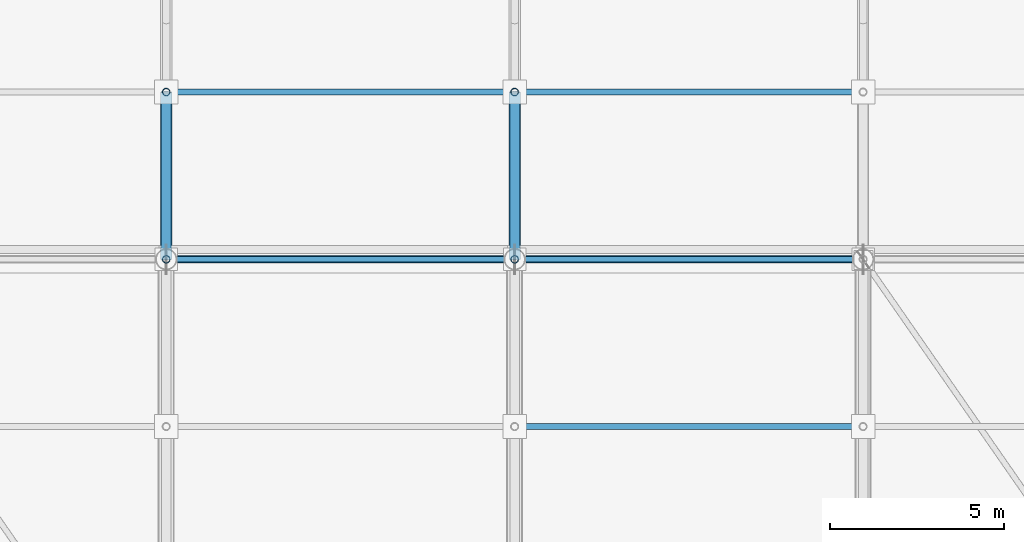
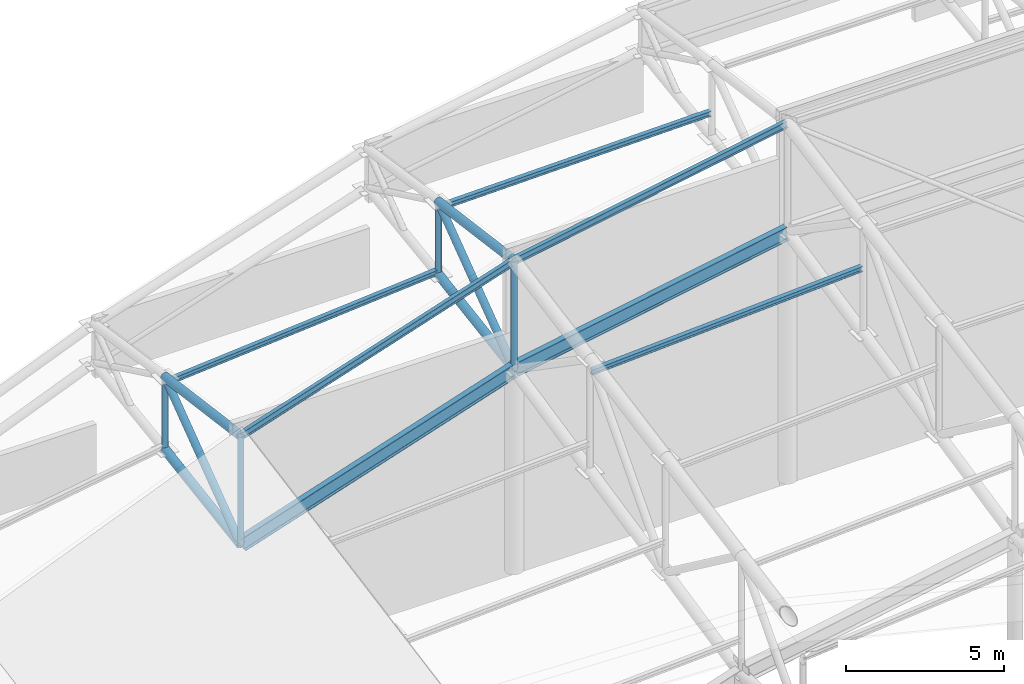
# One storey, part 92 of 146: 13 members, 4 beams.
"""IFC4 building model written with IfcOpenShell, lengths in metres."""

from ifc_helpers import new_model, si_unit, direction, frame, origin, origin_2d, place, context, subcontext, project, spatial, hollow_circle, i_section, extrude, material, material_profile, profile_set, type_object, element, save


model = new_model("IFC4")

# Units and contexts
model_context = context("Model", 3, precision=1e-05, world=origin(), true_north=direction((0.0, 1.0)))
body_context = subcontext(model_context, "Body", "Model", "MODEL_VIEW")
ifc_project = project(units=[si_unit("LENGTHUNIT", "METRE"), si_unit("AREAUNIT", "SQUARE_METRE"), si_unit("VOLUMEUNIT", "CUBIC_METRE"), si_unit("PLANEANGLEUNIT", "RADIAN"), si_unit("MASSUNIT", "GRAM", prefix="KILO")], contexts=[model_context])

# Site, building, storey
site_placement = place(None, origin())
site = spatial("IfcSite", under=ifc_project, at=site_placement, CompositionType="ELEMENT")
building_placement = place(site_placement, origin())
building = spatial("IfcBuilding", under=site, at=building_placement, Name="Candeia Ridge Stadium", CompositionType="ELEMENT")
storey_placement = place(building_placement, frame((0.0, 0.0, 31.800048828125)))
storey = spatial("IfcBuildingStorey", under=building, at=storey_placement, Name="RF", CompositionType="ELEMENT", Elevation=31.800048828125)

# Beams
ifc_material = material(Name="Steel ASTM A572 Grade 50", Category="steel")
ifc_material_profile_1 = material_profile(ifc_material, i_section(OverallWidth=0.14794921875, OverallDepth=0.26611328125, WebThickness=0.007568359375, FlangeThickness=0.012939453125, FilletRadius=0.010986328125, at=origin_2d()), Name="W250x44.8", Category="steel")
ifc_profile_set_1 = profile_set([ifc_material_profile_1], Name="Steel ASTM A572 Grade 50")
beam_type_1 = type_object("IfcBeamType", Name="Canopy Edge Spandrel W250x44.8", PredefinedType="SPANDREL", material=ifc_profile_set_1)
beam_1_placement = place(storey_placement, frame((100.960693359375, 147.0, 13.757080078125), z_axis=(-0.983924099588, 0.0, -0.178587139095), x_axis=(0.0, -1.0, 0.0)))
element("IfcBeam", 1, at=beam_1_placement, inside=storey, type_object=beam_type_1, Name="Roof crown cap ring beam bay 05", PredefinedType="SPANDREL", context=body_context, shape_type="SweptSolid", body=[
    extrude(i_section(OverallWidth=0.14794921875, OverallDepth=0.26611328125, WebThickness=0.007568359375, FlangeThickness=0.012939453125, FilletRadius=0.010986328125, at=origin_2d()), origin(), (0.0, 0.0, 1.0), 10.08349609375),
])
beam_2_placement = place(storey_placement, frame((90.9619140625, 147.0, 11.936767578125), z_axis=(-0.950452285368, 0.0, -0.310870476628), x_axis=(0.0, -1.0, 0.0)))
element("IfcBeam", 2, at=beam_2_placement, inside=storey, type_object=beam_type_1, Name="Roof crown cap ring beam bay 06", PredefinedType="SPANDREL", context=body_context, shape_type="SweptSolid", body=[
    extrude(i_section(OverallWidth=0.14794921875, OverallDepth=0.26611328125, WebThickness=0.007568359375, FlangeThickness=0.012939453125, FilletRadius=0.010986328125, at=origin_2d()), origin(), (0.0, 0.0, 1.0), 10.441162109375),
])
ifc_material_profile_2 = material_profile(ifc_material, i_section(OverallWidth=0.2119140625, OverallDepth=0.5439453125, WebThickness=0.01318359375, FlangeThickness=0.021240234375, FilletRadius=0.013916015625, at=origin_2d()), Name="W530x123", Category="steel")
ifc_profile_set_2 = profile_set([ifc_material_profile_2], Name="Steel ASTM A572 Grade 50")
beam_type_2 = type_object("IfcBeamType", Name="Roof Perimeter Ring Beam W530x123", PredefinedType="BEAM", material=ifc_profile_set_2)
beam_3_placement = place(storey_placement, frame((100.960693359375, 147.0, 9.55712890625), z_axis=(-0.983924099588, 0.0, -0.178587139095), x_axis=(0.0, -1.0, 0.0)))
element("IfcBeam", 3, at=beam_3_placement, inside=storey, type_object=beam_type_2, Name="Roof perimeter ring beam bay 05", PredefinedType="BEAM", context=body_context, shape_type="SweptSolid", body=[
    extrude(i_section(OverallWidth=0.2119140625, OverallDepth=0.5439453125, WebThickness=0.01318359375, FlangeThickness=0.021240234375, FilletRadius=0.013916015625, at=origin_2d()), origin(), (0.0, 0.0, 1.0), 10.08349609375),
])
beam_4_placement = place(storey_placement, frame((90.9619140625, 147.0, 7.73681640625), z_axis=(-0.950452285368, 0.0, -0.310870476628), x_axis=(0.0, -1.0, 0.0)))
element("IfcBeam", 4, at=beam_4_placement, inside=storey, type_object=beam_type_2, Name="Roof perimeter ring beam bay 06", PredefinedType="BEAM", context=body_context, shape_type="SweptSolid", body=[
    extrude(i_section(OverallWidth=0.2119140625, OverallDepth=0.5439453125, WebThickness=0.01318359375, FlangeThickness=0.021240234375, FilletRadius=0.013916015625, at=origin_2d()), origin(), (0.0, 0.0, 1.0), 10.441162109375),
])

# Members
ifc_material_profile_3 = material_profile(ifc_material, i_section(OverallWidth=0.1650390625, OverallDepth=0.200927734375, WebThickness=0.006103515625, FlangeThickness=0.01025390625, FilletRadius=0.010009765625, at=origin_2d()), Name="W200x35.9", Category="steel")
ifc_profile_set_3 = profile_set([ifc_material_profile_3], Name="Steel ASTM A572 Grade 50")
member_type_1 = type_object("IfcMemberType", Name="Roof Purlin W200x35.9", PredefinedType="PURLIN", material=ifc_profile_set_3)
member_1_placement = place(storey_placement, frame((100.9501953125, 142.199951171875, 11.098388671875), z_axis=(-0.998435557369, 0.0, -0.055914557871), x_axis=(0.0, -1.0, 0.0)))
element("IfcMember", 5, at=member_1_placement, inside=storey, type_object=member_type_1, Name="Saddle roof steel purlin bay 05-4", PredefinedType="PURLIN", context=body_context, shape_type="SweptSolid", body=[
    extrude(i_section(OverallWidth=0.1650390625, OverallDepth=0.200927734375, WebThickness=0.006103515625, FlangeThickness=0.01025390625, FilletRadius=0.010009765625, at=origin_2d()), origin(), (0.0, 0.0, 1.0), 9.916015625),
])
member_2_placement = place(storey_placement, frame((100.949951171875, 151.800048828125, 11.280517578125), z_axis=(-0.999812193326, 0.0, -0.019379836842), x_axis=(0.0, -1.0, 0.0)))
element("IfcMember", 6, at=member_2_placement, inside=storey, type_object=member_type_1, Name="Saddle roof steel purlin bay 05-5", PredefinedType="PURLIN", context=body_context, shape_type="SweptSolid", body=[
    extrude(i_section(OverallWidth=0.1650390625, OverallDepth=0.200927734375, WebThickness=0.006103515625, FlangeThickness=0.01025390625, FilletRadius=0.010009765625, at=origin_2d()), origin(), (0.0, 0.0, 1.0), 9.90185546875),
])
member_3_placement = place(storey_placement, frame((90.9501953125, 151.800048828125, 8.636962890625), z_axis=(-0.996621274205, 0.0, -0.082134254744), x_axis=(0.0, -1.0, 0.0)))
element("IfcMember", 7, at=member_3_placement, inside=storey, type_object=member_type_1, Name="Saddle roof steel purlin bay 06-5", PredefinedType="PURLIN", context=body_context, shape_type="SweptSolid", body=[
    extrude(i_section(OverallWidth=0.1650390625, OverallDepth=0.200927734375, WebThickness=0.006103515625, FlangeThickness=0.01025390625, FilletRadius=0.010009765625, at=origin_2d()), origin(), (0.0, 0.0, 1.0), 9.933837890625),
])
ifc_material_profile_4 = material_profile(ifc_material, hollow_circle(Radius=0.161865234375, WallThickness=0.012451171875, at=origin_2d()), Name="CHS323x12", Category="steel")
ifc_profile_set_4 = profile_set([ifc_material_profile_4], Name="Steel ASTM A572 Grade 50")
member_type_2 = type_object("IfcMemberType", Name="Roof Truss Eaves Chord CHS323x12", PredefinedType="CHORD", material=ifc_profile_set_4)
member_4_placement = place(storey_placement, frame((91.0, 147.0, 11.94921875), z_axis=(0.0, 0.991184698971, -0.132487329683), x_axis=(-1.0, 0.0, 0.0)))
element("IfcMember", 8, at=member_4_placement, inside=storey, type_object=member_type_2, Name="Roof cantilever truss RT-06 top chord 7", PredefinedType="CHORD", context=body_context, shape_type="SweptSolid", body=[
    extrude(hollow_circle(Radius=0.161865234375, WallThickness=0.012451171875, at=origin_2d()), origin(), (0.0, 0.0, 1.0), 4.8427734375),
])
member_5_placement = place(storey_placement, frame((91.0, 147.0, 7.749267578125), z_axis=(0.0, 0.987958563397, 0.154718702848), x_axis=(-1.0, 0.0, 0.0)))
element("IfcMember", 9, at=member_5_placement, inside=storey, type_object=member_type_2, Name="Roof cantilever truss RT-06 bottom chord 7", PredefinedType="CHORD", context=body_context, shape_type="SweptSolid", body=[
    extrude(hollow_circle(Radius=0.161865234375, WallThickness=0.012451171875, at=origin_2d()), origin(), (0.0, 0.0, 1.0), 4.858642578125),
])
member_6_placement = place(storey_placement, frame((81.0, 147.0, 8.678466796875), z_axis=(0.0, 0.991184698971, -0.132487329683), x_axis=(-1.0, 0.0, 0.0)))
element("IfcMember", 10, at=member_6_placement, inside=storey, type_object=member_type_2, Name="Roof cantilever truss RT-07 top chord 7", PredefinedType="CHORD", context=body_context, shape_type="SweptSolid", body=[
    extrude(hollow_circle(Radius=0.161865234375, WallThickness=0.012451171875, at=origin_2d()), origin(), (0.0, 0.0, 1.0), 4.8427734375),
])
member_7_placement = place(storey_placement, frame((81.0, 147.0, 4.478515625), z_axis=(0.0, 0.987950881294, 0.154767749066), x_axis=(-1.0, 0.0, 0.0)))
element("IfcMember", 11, at=member_7_placement, inside=storey, type_object=member_type_2, Name="Roof cantilever truss RT-07 bottom chord 7", PredefinedType="CHORD", context=body_context, shape_type="SweptSolid", body=[
    extrude(hollow_circle(Radius=0.161865234375, WallThickness=0.012451171875, at=origin_2d()), origin(), (0.0, 0.0, 1.0), 4.858642578125),
])
ifc_material_profile_5 = material_profile(ifc_material, hollow_circle(Radius=0.136474609375, WallThickness=0.010009765625, at=origin_2d()), Name="CHS273x10", Category="steel")
ifc_profile_set_5 = profile_set([ifc_material_profile_5], Name="Steel ASTM A572 Grade 50")
member_type_3 = type_object("IfcMemberType", Name="Roof Truss Heavy Web Brace CHS273x10", PredefinedType="BRACE", material=ifc_profile_set_5)
for number, where, z_axis, x_axis, name in (
    (12, (91.0, 147.0, 7.749267578125), (0.0, 0.803336374347, 0.595525540721), (-1.0, 0.0, 0.0), "Roof cantilever truss RT-06 diagonal web 7"),
    (13, (81.0, 147.0, 4.478515625), (0.0, 0.803336374347, 0.595525540721), (-1.0, 0.0, 0.0), "Roof cantilever truss RT-07 diagonal web 7"),
):
    element("IfcMember", number, at=place(storey_placement, frame(where, z_axis=z_axis, x_axis=x_axis)), inside=storey, type_object=member_type_3, Name=name, PredefinedType="BRACE", context=body_context, shape_type="SweptSolid", body=[
        extrude(hollow_circle(Radius=0.136474609375, WallThickness=0.010009765625, at=origin_2d()), origin(), (0.0, 0.0, 1.0), 5.97509765625),
    ])
ifc_material_profile_6 = material_profile(ifc_material, hollow_circle(Radius=0.109619140625, WallThickness=0.010009765625, at=origin_2d()), Name="CHS219x10", Category="steel")
ifc_profile_set_6 = profile_set([ifc_material_profile_6], Name="Steel ASTM A572 Grade 50")
member_type_4 = type_object("IfcMemberType", Name="Roof Truss Inner Web Brace CHS219x10", PredefinedType="BRACE", material=ifc_profile_set_6)
member_8_placement = place(storey_placement, frame((91.0, 147.0, 7.749267578125), z_axis=(0.0, 0.0, 1.0), x_axis=(1.0, 0.0, 0.0)))
element("IfcMember", 14, at=member_8_placement, inside=storey, type_object=member_type_4, Name="Roof cantilever truss RT-06 vertical post 6", PredefinedType="BRACE", context=body_context, shape_type="SweptSolid", body=[
    extrude(hollow_circle(Radius=0.109619140625, WallThickness=0.010009765625, at=origin_2d()), origin(), (0.0, 0.0, 1.0), 4.199951171875),
])
member_9_placement = place(storey_placement, frame((91.0, 151.800048828125, 8.5009765625), z_axis=(0.0, 0.0, 1.0), x_axis=(1.0, 0.0, 0.0)))
element("IfcMember", 15, at=member_9_placement, inside=storey, type_object=member_type_4, Name="Roof cantilever truss RT-06 vertical post 7", PredefinedType="BRACE", context=body_context, shape_type="SweptSolid", body=[
    extrude(hollow_circle(Radius=0.109619140625, WallThickness=0.010009765625, at=origin_2d()), origin(), (0.0, 0.0, 1.0), 2.806640625),
])
member_10_placement = place(storey_placement, frame((81.0, 147.0, 4.478515625), z_axis=(0.0, 0.0, 1.0), x_axis=(1.0, 0.0, 0.0)))
element("IfcMember", 16, at=member_10_placement, inside=storey, type_object=member_type_4, Name="Roof cantilever truss RT-07 vertical post 6", PredefinedType="BRACE", context=body_context, shape_type="SweptSolid", body=[
    extrude(hollow_circle(Radius=0.109619140625, WallThickness=0.010009765625, at=origin_2d()), origin(), (0.0, 0.0, 1.0), 4.199951171875),
])
member_11_placement = place(storey_placement, frame((81.0, 151.800048828125, 5.23046875), z_axis=(0.0, 0.0, 1.0), x_axis=(1.0, 0.0, 0.0)))
element("IfcMember", 17, at=member_11_placement, inside=storey, type_object=member_type_4, Name="Roof cantilever truss RT-07 vertical post 7", PredefinedType="BRACE", context=body_context, shape_type="SweptSolid", body=[
    extrude(hollow_circle(Radius=0.109619140625, WallThickness=0.010009765625, at=origin_2d()), origin(), (0.0, 0.0, 1.0), 2.806396484375),
])

save(model, "model.ifc")
